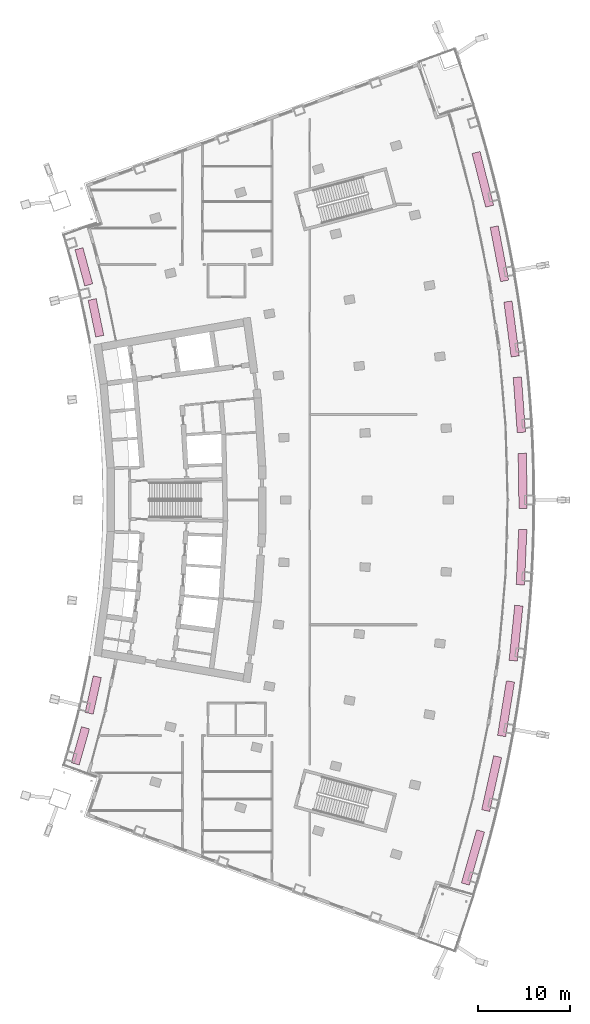
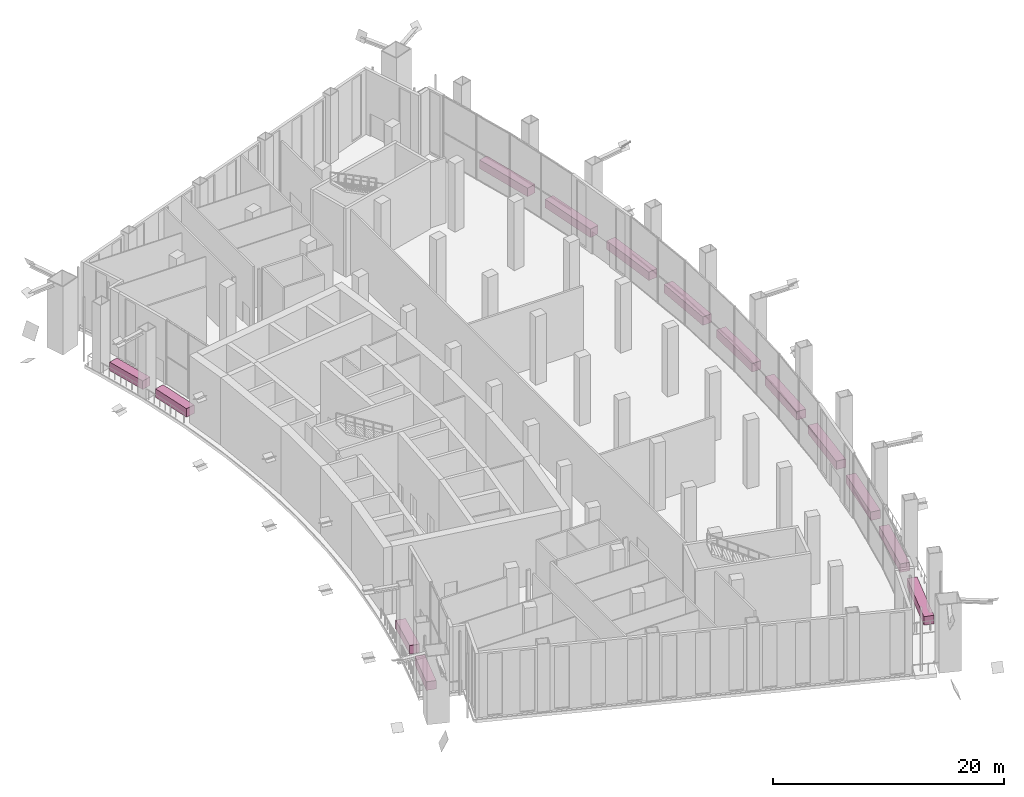
# One storey, part 27 of 27: 14 furnishings.
"""IFC4 building model written with IfcOpenShell, lengths in metres."""

from ifc_helpers import new_model, si_unit, direction, frame, origin, origin_2d, place, context, subcontext, project, spatial, rectangle, extrude, material, type_object, element, save


model = new_model("IFC4")

# Units and contexts
model_context = context("Model", 3, precision=1e-05, world=origin(), true_north=direction((0.0, 1.0)))
body_context = subcontext(model_context, "Body", "Model", "MODEL_VIEW")
ifc_project = project(units=[si_unit("LENGTHUNIT", "METRE"), si_unit("AREAUNIT", "SQUARE_METRE"), si_unit("VOLUMEUNIT", "CUBIC_METRE"), si_unit("PLANEANGLEUNIT", "RADIAN"), si_unit("MASSUNIT", "GRAM", prefix="KILO")], contexts=[model_context])

# Site, building, storey
site_placement = place(None, origin())
site = spatial("IfcSite", under=ifc_project, at=site_placement, CompositionType="ELEMENT")
building_placement = place(site_placement, origin())
building = spatial("IfcBuilding", under=site, at=building_placement, Name="Alderwake Tower", CompositionType="ELEMENT")
storey_placement = place(building_placement, frame((0.0, 0.0, 75.199951171875)))
storey = spatial("IfcBuildingStorey", under=building, at=storey_placement, Name="L18", CompositionType="ELEMENT", Elevation=75.199951171875)

# Furnishings
ifc_material = material(Name="Precast concrete C40/50 planter with soil", Category="concrete")
furnishing_element_type = type_object("IfcFurnishingElementType", Name="Planter box 900", material=ifc_material)
for number, where, z_axis, x_axis, name in (
    (1, (56.0703125, 22.3017578125, 0.06005859375), (0.0, 0.0, 1.0), (0.961857413266, -0.273551305142, 0.0), "Planter"),
    (2, (58.094970703125, 30.300537109375, 0.06005859375), (0.0, 0.0, 1.0), (0.97616929119, -0.217010402833, 0.0), "Planter"),
    (3, (59.64990234375, 38.40380859375, 0.06005859375), (0.0, 0.0, 1.0), (0.987160809417, -0.15972957256, 0.0), "Planter"),
    (4, (60.729736328125, 46.583740234375, 0.06005859375), (0.0, 0.0, 1.0), (0.994794098387, -0.101905357138, 0.0), "Planter"),
    (5, (61.330810546875, 54.812744140625, 0.06005859375), (0.0, 0.0, 1.0), (0.999043114028, -0.043736212829, 0.0), "Planter"),
    (6, (61.451171875, 63.06298828125, 0.06005859375), (0.0, 0.0, 1.0), (0.999893655776, 0.014583454252, 0.0), "Planter"),
    (7, (61.090087890625, 71.30615234375, 0.06005859375), (0.0, 0.0, 1.0), (0.99734277946, 0.072851769087, 0.0), "Planter"),
    (8, (60.24951171875, 79.51416015625, 0.06005859375), (0.0, 0.0, 1.0), (0.991399010319, 0.130873994122, 0.0), "Planter"),
    (9, (58.931396484375, 87.6591796875, 0.06005859375), (0.0, 0.0, 1.0), (0.982082922864, 0.188449283945, 0.0), "Planter"),
    (10, (57.140869140625, 95.713623046875, 0.06005859375), (0.0, 0.0, 1.0), (0.969425652232, 0.245385217149, 0.0), "Planter"),
):
    element("IfcFurnishingElement", number, at=place(storey_placement, frame(where, z_axis=z_axis, x_axis=x_axis)), inside=storey, type_object=furnishing_element_type, Name=name, ObjectType="PLANTER", context=body_context, shape_type="SweptSolid", body=[
        extrude(rectangle(XDim=0.89990234375, YDim=5.989990234375, at=origin_2d()), origin(), (0.0, 0.0, 1.0), 0.89990234375),
    ])
for number, where, z_axis, x_axis, name in (
    (11, (13.56640625, 34.389892578125, 0.06005859375), (0.0, 0.0, 1.0), (0.961857413266, -0.273551305142, 0.0), "Planter"),
    (12, (14.95849609375, 39.889892578125, 0.06005859375), (0.0, 0.0, 1.0), (0.97616929119, -0.217010402833, 0.0), "Planter"),
    (13, (15.25634765625, 80.722900390625, 0.06005859375), (0.0, 0.0, 1.0), (0.979230242507, 0.20275140483, 0.0), "Planter"),
    (14, (13.9443359375, 86.242919921875, 0.06005859375), (0.0, 0.0, 1.0), (0.965744448231, 0.259495010957, 0.0), "Planter"),
):
    element("IfcFurnishingElement", number, at=place(storey_placement, frame(where, z_axis=z_axis, x_axis=x_axis)), inside=storey, type_object=furnishing_element_type, Name=name, ObjectType="PLANTER", context=body_context, shape_type="SweptSolid", body=[
        extrude(rectangle(XDim=0.89990234375, YDim=4.056396484375, at=origin_2d()), origin(), (0.0, 0.0, 1.0), 0.89990234375),
    ])

save(model, "model.ifc")
